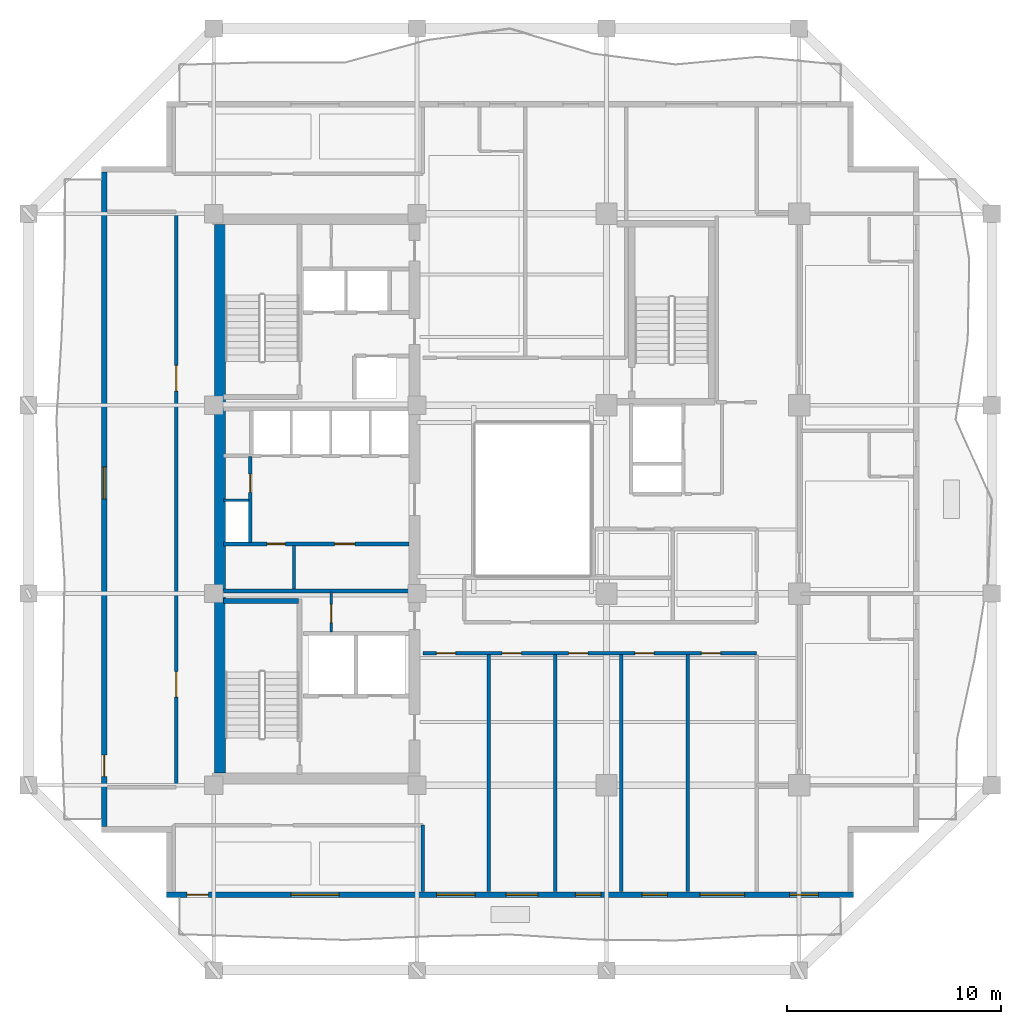
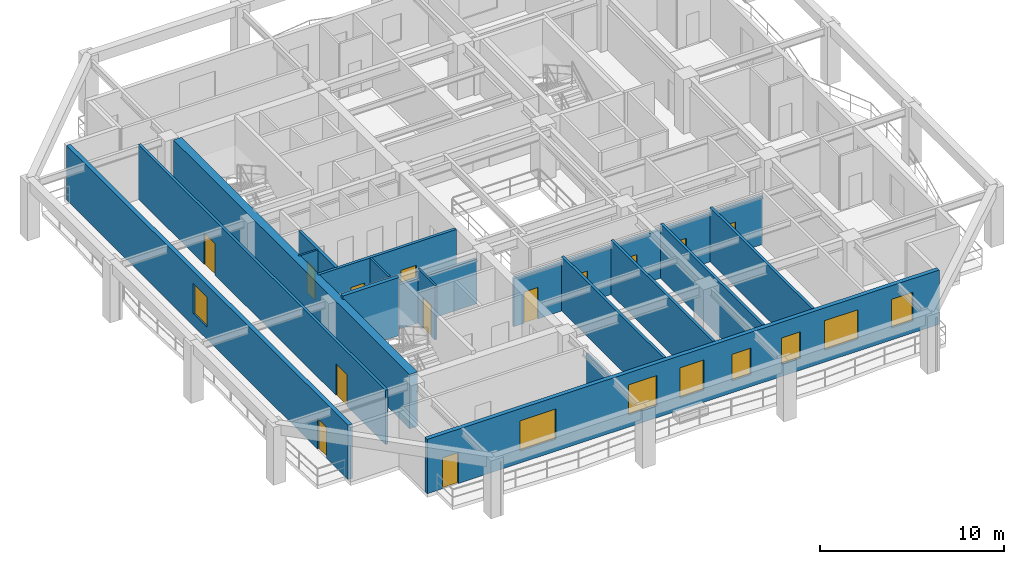
# One storey, part 3 of 11: 17 walls, 13 doors, 8 windows, 21 openings.
"""IFC4 building model written with IfcOpenShell, lengths in metres."""

from ifc_helpers import new_model, si_unit, direction, frame, frame_2d, origin, place, context, subcontext, project, spatial, rectangle, extrude, material, layer, layer_set, type_object, element, fill, save


model = new_model("IFC4")

# Units and contexts
model_context = context("Model", 3, precision=1e-05, world=origin(), true_north=direction((0.0, 1.0)))
body_context = subcontext(model_context, "Body", "Model", "MODEL_VIEW")
ifc_project = project(units=[si_unit("LENGTHUNIT", "METRE"), si_unit("AREAUNIT", "SQUARE_METRE"), si_unit("VOLUMEUNIT", "CUBIC_METRE"), si_unit("PLANEANGLEUNIT", "RADIAN"), si_unit("MASSUNIT", "GRAM", prefix="KILO")], contexts=[model_context])

# Site, building, storey
site_placement = place(None, origin())
site = spatial("IfcSite", under=ifc_project, at=site_placement, CompositionType="ELEMENT")
building_placement = place(site_placement, origin())
building = spatial("IfcBuilding", under=site, at=building_placement, Name="Kundavana Baori Tower", CompositionType="ELEMENT")
storey_placement = place(building_placement, frame((0.0, 0.0, 146.35009765625)))
storey = spatial("IfcBuildingStorey", under=building, at=storey_placement, Name="L35", CompositionType="ELEMENT", Elevation=146.35009765625)

# Walls
ifc_material_1 = material(Name="Concrete C50/60", Category="concrete")
ifc_layer_1 = layer(ifc_material_1, 0.39990234375, Name="WL-CORE-400")
ifc_layer_set_1 = layer_set([ifc_layer_1], Name="Concrete C50/60")
wall_type_1 = type_object("IfcWallType", Name="WL-CORE-400", PredefinedType="SHEAR", material=ifc_layer_set_1)
wall_1_placement = place(storey_placement, frame((15.89990234375, 23.860107421875, 0.0), z_axis=(0.0, 0.0, 1.0), x_axis=(1.0, 0.0, 0.0)))
element("IfcWall", 1, at=wall_1_placement, inside=storey, type_object=wall_type_1, Name="WL-L35-ST1-N", PredefinedType="SHEAR", context=body_context, shape_type="SweptSolid", body=[
    extrude(rectangle(XDim=3.52001953125, YDim=0.239990234375, at=frame_2d((1.760009765625, 0.0))), origin(), (0.0, 0.0, 1.0), 3.849853515625),
])
ifc_material_2 = material(Name="Concrete C50/60", Category="concrete")
ifc_layer_2 = layer(ifc_material_2, 0.5, Name="WL-CORE-500")
ifc_layer_set_2 = layer_set([ifc_layer_2], Name="Concrete C50/60")
wall_type_2 = type_object("IfcWallType", Name="WL-CORE-500", PredefinedType="SHEAR", material=ifc_layer_set_2)
wall_2_placement = place(storey_placement, frame((15.739990234375, 15.81005859375, 0.0), z_axis=(0.0, 0.0, 1.0), x_axis=(0.0, 1.0, 0.0)))
element("IfcWall", 2, at=wall_2_placement, inside=storey, type_object=wall_type_2, Name="L35 Offset Core West Shear Wall", PredefinedType="SHEAR", context=body_context, shape_type="SweptSolid", body=[
    extrude(rectangle(XDim=25.6298828125, YDim=0.5, at=frame_2d((12.81494140625, 0.0))), origin(), (0.0, 0.0, 1.0), 3.599853515625),
])

# Wall, openings, door, windows
ifc_material_3 = material(Name="Kiln-Fired Terracotta Brick-Slip Masonry on Concrete C40/50", Category="masonry")
ifc_layer_3 = layer(ifc_material_3, 0.260009765625, Name="WL-EXT-BRK-260")
ifc_layer_set_3 = layer_set([ifc_layer_3], Name="Kiln-Fired Terracotta Brick-Slip Masonry on Concrete C40/50")
wall_type_3 = type_object("IfcWallType", Name="WL-EXT-BRK-260", PredefinedType="SOLIDWALL", material=ifc_layer_set_3)
wall_3_placement = place(storey_placement, frame((13.25, 10.1298828125, 0.0), z_axis=(0.0, 0.0, 1.0), x_axis=(1.0, 0.0, 0.0)))
wall_3 = element("IfcWall", 3, at=wall_3_placement, inside=storey, type_object=wall_type_3, Name="L35 Exterior Insulated Facade Wall 01", PredefinedType="SOLIDWALL", context=body_context, shape_type="SweptSolid", body=[
    extrude(rectangle(XDim=32.10009765625, YDim=0.260009765625, at=frame_2d((16.050048828125, 0.0))), origin(), (0.0, 0.0, 1.0), 3.599853515625),
])
opening_1_placement = place(wall_3_placement, frame((0.949951171875, 0.0, 0.0)))
opening_1 = element("IfcOpeningElement", 4, at=opening_1_placement, cuts=wall_3, Name="Opening BD-1", PredefinedType="OPENING", context=body_context, shape_type="SweptSolid", body=[
    extrude(rectangle(XDim=1.0, YDim=2.050048828125, at=frame_2d((0.5, 1.02490234375))), frame((0.0, 0.14013671875, 0.0), z_axis=(0.0, -1.0, 0.0), x_axis=(1.0, 0.0, 0.0)), (0.0, 0.0, 1.0), 0.280029296875),
])
opening_2_placement = place(wall_3_placement, frame((5.804931640625, 0.0, 0.800048828125)))
opening_2 = element("IfcOpeningElement", 5, at=opening_2_placement, cuts=wall_3, Name="Opening W-10", PredefinedType="OPENING", context=body_context, shape_type="SweptSolid", body=[
    extrude(rectangle(XDim=2.25, YDim=2.0, at=frame_2d((1.125, 1.0))), frame((0.0, 0.14013671875, 0.0), z_axis=(0.0, -1.0, 0.0), x_axis=(1.0, 0.0, 0.0)), (0.0, 0.0, 1.0), 0.280029296875),
])
opening_3_placement = place(wall_3_placement, frame((12.610107421875, 0.0, 0.800048828125)))
opening_3 = element("IfcOpeningElement", 6, at=opening_3_placement, cuts=wall_3, Name="Opening W-01", PredefinedType="OPENING", context=body_context, shape_type="SweptSolid", body=[
    extrude(rectangle(XDim=1.800048828125, YDim=2.0, at=frame_2d((0.89990234375, 1.0))), frame((0.0, 0.14013671875, 0.0), z_axis=(0.0, -1.0, 0.0), x_axis=(1.0, 0.0, 0.0)), (0.0, 0.0, 1.0), 0.280029296875),
])
opening_4_placement = place(wall_3_placement, frame((15.85009765625, 0.0, 0.800048828125)))
opening_4 = element("IfcOpeningElement", 7, at=opening_4_placement, cuts=wall_3, Name="Opening W-02", PredefinedType="OPENING", context=body_context, shape_type="SweptSolid", body=[
    extrude(rectangle(XDim=1.5, YDim=2.0, at=frame_2d((0.75, 1.0))), frame((0.0, 0.14013671875, 0.0), z_axis=(0.0, -1.0, 0.0), x_axis=(1.0, 0.0, 0.0)), (0.0, 0.0, 1.0), 0.280029296875),
])
opening_5_placement = place(wall_3_placement, frame((19.10009765625, 0.0, 0.800048828125)))
opening_5 = element("IfcOpeningElement", 8, at=opening_5_placement, cuts=wall_3, Name="Opening W-03", PredefinedType="OPENING", context=body_context, shape_type="SweptSolid", body=[
    extrude(rectangle(XDim=1.199951171875, YDim=1.75, at=frame_2d((0.60009765625, 0.875))), frame((0.0, 0.14013671875, 0.0), z_axis=(0.0, -1.0, 0.0), x_axis=(1.0, 0.0, 0.0)), (0.0, 0.0, 1.0), 0.280029296875),
])
opening_6_placement = place(wall_3_placement, frame((22.199951171875, 0.0, 0.800048828125)))
opening_6 = element("IfcOpeningElement", 9, at=opening_6_placement, cuts=wall_3, Name="Opening W-03", PredefinedType="OPENING", context=body_context, shape_type="SweptSolid", body=[
    extrude(rectangle(XDim=1.199951171875, YDim=1.75, at=frame_2d((0.60009765625, 0.875))), frame((0.0, 0.14013671875, 0.0), z_axis=(0.0, -1.0, 0.0), x_axis=(1.0, 0.0, 0.0)), (0.0, 0.0, 1.0), 0.280029296875),
])
opening_7_placement = place(wall_3_placement, frame((24.909912109375, 0.0, 0.800048828125)))
opening_7 = element("IfcOpeningElement", 10, at=opening_7_placement, cuts=wall_3, Name="Opening W-05", PredefinedType="OPENING", context=body_context, shape_type="SweptSolid", body=[
    extrude(rectangle(XDim=2.10009765625, YDim=1.949951171875, at=frame_2d((1.050048828125, 0.97509765625))), frame((0.0, 0.14013671875, 0.0), z_axis=(0.0, -1.0, 0.0), x_axis=(1.0, 0.0, 0.0)), (0.0, 0.0, 1.0), 0.280029296875),
])
opening_8_placement = place(wall_3_placement, frame((29.10498046875, 0.0, 0.800048828125)))
opening_8 = element("IfcOpeningElement", 11, at=opening_8_placement, cuts=wall_3, Name="Opening W-07", PredefinedType="OPENING", context=body_context, shape_type="SweptSolid", body=[
    extrude(rectangle(XDim=1.35009765625, YDim=1.89990234375, at=frame_2d((0.675048828125, 0.949951171875))), frame((0.0, 0.14013671875, 0.0), z_axis=(0.0, -1.0, 0.0), x_axis=(1.0, 0.0, 0.0)), (0.0, 0.0, 1.0), 0.280029296875),
])
ifc_material_4 = material(Name="Architectural Patinated Bronze Metalwork")
door_type_1 = type_object("IfcDoorType", Name="DR-EXT-LOG-1000", OperationType="NOTDEFINED", PredefinedType="DOOR", material=ifc_material_4)
door_1_placement = place(opening_1_placement, frame((1.0, 0.0, 0.0), z_axis=(0.0, 0.0, 1.0), x_axis=(-1.0, 0.0, 0.0)))
door_1 = element("IfcDoor", 12, at=door_1_placement, inside=storey, type_object=door_type_1, Name="L35 Loggia Balcony Access Door S", OperationType="SINGLE_SWING_LEFT", OverallHeight=2.050048828125, OverallWidth=1.0, PredefinedType="DOOR", context=body_context, shape_type="SweptSolid", body=[
    extrude(rectangle(XDim=1.0, YDim=2.050048828125, at=frame_2d((0.5, 1.02490234375))), frame((0.0, 0.02490234375, 0.0), z_axis=(0.0, -1.0, 0.0), x_axis=(1.0, 0.0, 0.0)), (0.0, 0.0, 1.0), 0.050048828125),
])
fill(opening_1, door_1)
ifc_material_5 = material(Name="Double-Glazed Solar-Control Low-E Insulated Glass", Category="glass")
window_type_1 = type_object("IfcWindowType", Name="WIN-LOG-1200x1750", PartitioningType="SINGLE_PANEL", PredefinedType="WINDOW", material=ifc_material_5)
window_1_placement = place(opening_5_placement, origin())
window_1 = element("IfcWindow", 13, at=window_1_placement, inside=storey, type_object=window_type_1, Name="L35 Recessed Loggia Window S-4", OverallHeight=1.75, OverallWidth=1.199951171875, PartitioningType="SINGLE_PANEL", PredefinedType="WINDOW", context=body_context, shape_type="SweptSolid", body=[
    extrude(rectangle(XDim=1.199951171875, YDim=1.75, at=frame_2d((0.60009765625, 0.875))), frame((0.0, 0.030029296875, 0.0), z_axis=(0.0, -1.0, 0.0), x_axis=(1.0, 0.0, 0.0)), (0.0, 0.0, 1.0), 0.06005859375),
])
fill(opening_5, window_1)
window_2_placement = place(opening_6_placement, origin())
window_2 = element("IfcWindow", 14, at=window_2_placement, inside=storey, type_object=window_type_1, Name="L35 Recessed Loggia Window S-5", OverallHeight=1.75, OverallWidth=1.199951171875, PartitioningType="SINGLE_PANEL", PredefinedType="WINDOW", context=body_context, shape_type="SweptSolid", body=[
    extrude(rectangle(XDim=1.199951171875, YDim=1.75, at=frame_2d((0.60009765625, 0.875))), frame((0.0, 0.030029296875, 0.0), z_axis=(0.0, -1.0, 0.0), x_axis=(1.0, 0.0, 0.0)), (0.0, 0.0, 1.0), 0.06005859375),
])
fill(opening_6, window_2)
ifc_material_6 = material(Name="Double-Glazed Solar-Control Low-E Insulated Glass", Category="glass")
window_type_2 = type_object("IfcWindowType", Name="WIN-LOG-1350x1900", PartitioningType="SINGLE_PANEL", PredefinedType="WINDOW", material=ifc_material_6)
window_3_placement = place(opening_8_placement, origin())
window_3 = element("IfcWindow", 15, at=window_3_placement, inside=storey, type_object=window_type_2, Name="L35 Recessed Loggia Window S-7", OverallHeight=1.89990234375, OverallWidth=1.35009765625, PartitioningType="SINGLE_PANEL", PredefinedType="WINDOW", context=body_context, shape_type="SweptSolid", body=[
    extrude(rectangle(XDim=1.35009765625, YDim=1.89990234375, at=frame_2d((0.675048828125, 0.949951171875))), frame((0.0, 0.030029296875, 0.0), z_axis=(0.0, -1.0, 0.0), x_axis=(1.0, 0.0, 0.0)), (0.0, 0.0, 1.0), 0.06005859375),
])
fill(opening_8, window_3)
ifc_material_7 = material(Name="Double-Glazed Solar-Control Low-E Insulated Glass", Category="glass")
window_type_3 = type_object("IfcWindowType", Name="WIN-LOG-1500x2000", PartitioningType="SINGLE_PANEL", PredefinedType="WINDOW", material=ifc_material_7)
window_4_placement = place(opening_4_placement, origin())
window_4 = element("IfcWindow", 16, at=window_4_placement, inside=storey, type_object=window_type_3, Name="L35 Recessed Loggia Window S-3", OverallHeight=2.0, OverallWidth=1.5, PartitioningType="SINGLE_PANEL", PredefinedType="WINDOW", context=body_context, shape_type="SweptSolid", body=[
    extrude(rectangle(XDim=1.5, YDim=2.0, at=frame_2d((0.75, 1.0))), frame((0.0, 0.030029296875, 0.0), z_axis=(0.0, -1.0, 0.0), x_axis=(1.0, 0.0, 0.0)), (0.0, 0.0, 1.0), 0.06005859375),
])
fill(opening_4, window_4)
ifc_material_8 = material(Name="Double-Glazed Solar-Control Low-E Insulated Glass", Category="glass")
window_type_4 = type_object("IfcWindowType", Name="WIN-LOG-1800x2000", PartitioningType="SINGLE_PANEL", PredefinedType="WINDOW", material=ifc_material_8)
window_5_placement = place(opening_3_placement, origin())
window_5 = element("IfcWindow", 17, at=window_5_placement, inside=storey, type_object=window_type_4, Name="L35 Recessed Loggia Window S-2", OverallHeight=2.0, OverallWidth=1.800048828125, PartitioningType="SINGLE_PANEL", PredefinedType="WINDOW", context=body_context, shape_type="SweptSolid", body=[
    extrude(rectangle(XDim=1.800048828125, YDim=2.0, at=frame_2d((0.89990234375, 1.0))), frame((0.0, 0.030029296875, 0.0), z_axis=(0.0, -1.0, 0.0), x_axis=(1.0, 0.0, 0.0)), (0.0, 0.0, 1.0), 0.06005859375),
])
fill(opening_3, window_5)
ifc_material_9 = material(Name="Double-Glazed Solar-Control Low-E Insulated Glass", Category="glass")
window_type_5 = type_object("IfcWindowType", Name="WIN-LOG-2100x1950", PartitioningType="SINGLE_PANEL", PredefinedType="WINDOW", material=ifc_material_9)
window_6_placement = place(opening_7_placement, origin())
window_6 = element("IfcWindow", 18, at=window_6_placement, inside=storey, type_object=window_type_5, Name="L35 Recessed Loggia Window S-6", OverallHeight=1.949951171875, OverallWidth=2.10009765625, PartitioningType="SINGLE_PANEL", PredefinedType="WINDOW", context=body_context, shape_type="SweptSolid", body=[
    extrude(rectangle(XDim=2.10009765625, YDim=1.949951171875, at=frame_2d((1.050048828125, 0.97509765625))), frame((0.0, 0.030029296875, 0.0), z_axis=(0.0, -1.0, 0.0), x_axis=(1.0, 0.0, 0.0)), (0.0, 0.0, 1.0), 0.06005859375),
])
fill(opening_7, window_6)
ifc_material_10 = material(Name="Double-Glazed Solar-Control Low-E Insulated Glass", Category="glass")
window_type_6 = type_object("IfcWindowType", Name="WIN-LOG-2250x2000", PartitioningType="SINGLE_PANEL", PredefinedType="WINDOW", material=ifc_material_10)
window_7_placement = place(opening_2_placement, origin())
window_7 = element("IfcWindow", 19, at=window_7_placement, inside=storey, type_object=window_type_6, Name="L35 Recessed Loggia Window S-1", OverallHeight=2.0, OverallWidth=2.25, PartitioningType="SINGLE_PANEL", PredefinedType="WINDOW", context=body_context, shape_type="SweptSolid", body=[
    extrude(rectangle(XDim=2.25, YDim=2.0, at=frame_2d((1.125, 1.0))), frame((0.0, 0.030029296875, 0.0), z_axis=(0.0, -1.0, 0.0), x_axis=(1.0, 0.0, 0.0)), (0.0, 0.0, 1.0), 0.06005859375),
])
fill(opening_2, window_7)

# Wall, openings, door, window
wall_4_placement = place(storey_placement, frame((10.330078125, 43.889892578125, 0.0), z_axis=(0.0, 0.0, 1.0), x_axis=(0.0, -1.0, 0.0)))
wall_4 = element("IfcWall", 20, at=wall_4_placement, inside=storey, type_object=wall_type_3, Name="L35 Exterior Insulated Facade Wall 10", PredefinedType="SOLIDWALL", context=body_context, shape_type="SweptSolid", body=[
    extrude(rectangle(XDim=30.579833984375, YDim=0.260009765625, at=frame_2d((15.2900390625, 0.0))), origin(), (0.0, 0.0, 1.0), 3.599853515625),
])
opening_9_placement = place(wall_4_placement, frame((27.239990234375, 0.0, 0.0)))
opening_9 = element("IfcOpeningElement", 21, at=opening_9_placement, cuts=wall_4, Name="Opening BD-1", PredefinedType="OPENING", context=body_context, shape_type="SweptSolid", body=[
    extrude(rectangle(XDim=1.0, YDim=2.050048828125, at=frame_2d((0.5, 1.02490234375))), frame((0.0, 0.14013671875, 0.0), z_axis=(0.0, -1.0, 0.0), x_axis=(1.0, 0.0, 0.0)), (0.0, 0.0, 1.0), 0.280029296875),
])
opening_10_placement = place(wall_4_placement, frame((13.764892578125, 0.0, 0.800048828125)))
opening_10 = element("IfcOpeningElement", 22, at=opening_10_placement, cuts=wall_4, Name="Opening W-02", PredefinedType="OPENING", context=body_context, shape_type="SweptSolid", body=[
    extrude(rectangle(XDim=1.5, YDim=2.0, at=frame_2d((0.75, 1.0))), frame((0.0, 0.14013671875, 0.0), z_axis=(0.0, -1.0, 0.0), x_axis=(1.0, 0.0, 0.0)), (0.0, 0.0, 1.0), 0.280029296875),
])
door_2_placement = place(opening_9_placement, frame((1.0, 0.0, 0.0), z_axis=(0.0, 0.0, 1.0), x_axis=(-1.0, 0.0, 0.0)))
door_2 = element("IfcDoor", 23, at=door_2_placement, inside=storey, type_object=door_type_1, Name="L35 Loggia Balcony Access Door W", OperationType="SINGLE_SWING_RIGHT", OverallHeight=2.050048828125, OverallWidth=1.0, PredefinedType="DOOR", context=body_context, shape_type="SweptSolid", body=[
    extrude(rectangle(XDim=1.0, YDim=2.050048828125, at=frame_2d((0.5, 1.02490234375))), frame((0.0, 0.02490234375, 0.0), z_axis=(0.0, -1.0, 0.0), x_axis=(1.0, 0.0, 0.0)), (0.0, 0.0, 1.0), 0.050048828125),
])
fill(opening_9, door_2)
window_8_placement = place(opening_10_placement, origin())
window_8 = element("IfcWindow", 24, at=window_8_placement, inside=storey, type_object=window_type_3, Name="L35 Recessed Loggia Window W-1", OverallHeight=2.0, OverallWidth=1.5, PartitioningType="SINGLE_PANEL", PredefinedType="WINDOW", context=body_context, shape_type="SweptSolid", body=[
    extrude(rectangle(XDim=1.5, YDim=2.0, at=frame_2d((0.75, 1.0))), frame((0.0, 0.030029296875, 0.0), z_axis=(0.0, -1.0, 0.0), x_axis=(1.0, 0.0, 0.0)), (0.0, 0.0, 1.0), 0.06005859375),
])
fill(opening_10, window_8)

# Wall, opening, door
ifc_material_11 = material(Name="Acoustic Gypsum Plasterboard on Galvanised Steel Studs", Category="steel")
ifc_layer_4 = layer(ifc_material_11, 0.1201171875, Name="WL-PART-120")
ifc_layer_set_4 = layer_set([ifc_layer_4], Name="Acoustic Gypsum Plasterboard on Galvanised Steel Studs")
wall_type_4 = type_object("IfcWallType", Name="WL-PART-120", PredefinedType="PARTITIONING", material=ifc_layer_set_4)
wall_5_placement = place(storey_placement, frame((20.949951171875, 22.39990234375, 0.0), z_axis=(0.0, 0.0, 1.0), x_axis=(0.0, 1.0, 0.0)))
wall_5 = element("IfcWall", 25, at=wall_5_placement, inside=storey, type_object=wall_type_4, Name="WL-L35-CSMK-D2", PredefinedType="PARTITIONING", context=body_context, shape_type="SweptSolid", body=[
    extrude(rectangle(XDim=1.880126953125, YDim=0.1201171875, at=frame_2d((0.93994140625, 0.0))), origin(), (0.0, 0.0, 1.0), 3.599853515625),
])
opening_11_placement = place(wall_5_placement, frame((0.449951171875, 0.0, 0.0)))
opening_11 = element("IfcOpeningElement", 26, at=opening_11_placement, cuts=wall_5, Name="Opening FD-085", PredefinedType="OPENING", context=body_context, shape_type="SweptSolid", body=[
    extrude(rectangle(XDim=0.85009765625, YDim=2.06005859375, at=frame_2d((0.425048828125, 1.030029296875))), frame((0.0, 0.070068359375, 0.0), z_axis=(0.0, -1.0, 0.0), x_axis=(1.0, 0.0, 0.0)), (0.0, 0.0, 1.0), 0.14013671875),
])
ifc_material_12 = material(Name="Galvanised Steel Fire-Rated Door Leaf", Category="steel")
door_type_2 = type_object("IfcDoorType", Name="DR-FD60-850", OperationType="NOTDEFINED", PredefinedType="DOOR", material=ifc_material_12)
door_3_placement = place(opening_11_placement, origin())
door_3 = element("IfcDoor", 27, at=door_3_placement, inside=storey, type_object=door_type_2, Name="DR-L35-CSMK1", OperationType="SINGLE_SWING_RIGHT", OverallHeight=2.06005859375, OverallWidth=0.85009765625, PredefinedType="DOOR", context=body_context, shape_type="SweptSolid", body=[
    extrude(rectangle(XDim=0.85009765625, YDim=2.06005859375, at=frame_2d((0.425048828125, 1.030029296875))), frame((0.0, 0.02490234375, 0.0), z_axis=(0.0, -1.0, 0.0), x_axis=(1.0, 0.0, 0.0)), (0.0, 0.0, 1.0), 0.050048828125),
])
fill(opening_11, door_3)

# Walls
wall_6_placement = place(storey_placement, frame((19.199951171875, 24.419921875, 0.0), z_axis=(0.0, 0.0, 1.0), x_axis=(0.0, 1.0, 0.0)))
element("IfcWall", 28, at=wall_6_placement, inside=storey, type_object=wall_type_4, Name="WL-L35-FRLOW-DIV", PredefinedType="PARTITIONING", context=body_context, shape_type="SweptSolid", body=[
    extrude(rectangle(XDim=2.02001953125, YDim=0.1201171875, at=frame_2d((1.010009765625, 0.0))), origin(), (0.0, 0.0, 1.0), 3.599853515625),
])
wall_7_placement = place(storey_placement, frame((15.89990234375, 28.56005859375, 0.0), z_axis=(0.0, 0.0, 1.0), x_axis=(1.0, 0.0, 0.0)))
element("IfcWall", 29, at=wall_7_placement, inside=storey, type_object=wall_type_4, Name="WL-L35-RSRW-N", PredefinedType="PARTITIONING", context=body_context, shape_type="SweptSolid", body=[
    extrude(rectangle(XDim=1.2001953125, YDim=0.1201171875, at=frame_2d((0.60009765625, 0.0))), origin(), (0.0, 0.0, 1.0), 3.599853515625),
])

# Wall, openings, doors
ifc_material_13 = material(Name="Fire-Rated Gypsum Drywall on Galvanised Steel Studs", Category="steel")
ifc_layer_5 = layer(ifc_material_13, 0.1650390625, Name="WL-PART-165")
ifc_layer_set_5 = layer_set([ifc_layer_5], Name="Fire-Rated Gypsum Drywall on Galvanised Steel Studs")
wall_type_5 = type_object("IfcWallType", Name="WL-PART-165", PredefinedType="PARTITIONING", material=ifc_layer_set_5)
wall_8_placement = place(storey_placement, frame((25.219970703125, 21.419921875, 0.0), z_axis=(0.0, 0.0, 1.0), x_axis=(1.0, 0.0, 0.0)))
wall_8 = element("IfcWall", 30, at=wall_8_placement, inside=storey, type_object=wall_type_5, Name="WL-L35-HS", PredefinedType="PARTITIONING", context=body_context, shape_type="SweptSolid", body=[
    extrude(rectangle(XDim=15.60009765625, YDim=0.1650390625, at=frame_2d((7.800048828125, 0.0))), origin(), (0.0, 0.0, 1.0), 3.199951171875),
])
opening_12_placement = place(wall_8_placement, frame((0.6298828125, 0.0, 0.0)))
opening_12 = element("IfcOpeningElement", 31, at=opening_12_placement, cuts=wall_8, Name="Opening ID-090", PredefinedType="OPENING", context=body_context, shape_type="SweptSolid", body=[
    extrude(rectangle(XDim=0.89990234375, YDim=2.080078125, at=frame_2d((0.449951171875, 1.0400390625))), frame((0.0, 0.092529296875, 0.0), z_axis=(0.0, -1.0, 0.0), x_axis=(1.0, 0.0, 0.0)), (0.0, 0.0, 1.0), 0.18505859375),
])
opening_13_placement = place(wall_8_placement, frame((3.7099609375, 0.0, 0.0)))
opening_13 = element("IfcOpeningElement", 32, at=opening_13_placement, cuts=wall_8, Name="Opening ID-090", PredefinedType="OPENING", context=body_context, shape_type="SweptSolid", body=[
    extrude(rectangle(XDim=0.89990234375, YDim=2.080078125, at=frame_2d((0.449951171875, 1.0400390625))), frame((0.0, 0.092529296875, 0.0), z_axis=(0.0, -1.0, 0.0), x_axis=(1.0, 0.0, 0.0)), (0.0, 0.0, 1.0), 0.18505859375),
])
opening_14_placement = place(wall_8_placement, frame((6.81005859375, 0.0, 0.0)))
opening_14 = element("IfcOpeningElement", 33, at=opening_14_placement, cuts=wall_8, Name="Opening ID-090", PredefinedType="OPENING", context=body_context, shape_type="SweptSolid", body=[
    extrude(rectangle(XDim=0.89990234375, YDim=2.080078125, at=frame_2d((0.449951171875, 1.0400390625))), frame((0.0, 0.092529296875, 0.0), z_axis=(0.0, -1.0, 0.0), x_axis=(1.0, 0.0, 0.0)), (0.0, 0.0, 1.0), 0.18505859375),
])
opening_15_placement = place(wall_8_placement, frame((9.909912109375, 0.0, 0.0)))
opening_15 = element("IfcOpeningElement", 34, at=opening_15_placement, cuts=wall_8, Name="Opening ID-090", PredefinedType="OPENING", context=body_context, shape_type="SweptSolid", body=[
    extrude(rectangle(XDim=0.89990234375, YDim=2.080078125, at=frame_2d((0.449951171875, 1.0400390625))), frame((0.0, 0.092529296875, 0.0), z_axis=(0.0, -1.0, 0.0), x_axis=(1.0, 0.0, 0.0)), (0.0, 0.0, 1.0), 0.18505859375),
])
opening_16_placement = place(wall_8_placement, frame((13.010009765625, 0.0, 0.0)))
opening_16 = element("IfcOpeningElement", 35, at=opening_16_placement, cuts=wall_8, Name="Opening ID-090", PredefinedType="OPENING", context=body_context, shape_type="SweptSolid", body=[
    extrude(rectangle(XDim=0.89990234375, YDim=2.080078125, at=frame_2d((0.449951171875, 1.0400390625))), frame((0.0, 0.092529296875, 0.0), z_axis=(0.0, -1.0, 0.0), x_axis=(1.0, 0.0, 0.0)), (0.0, 0.0, 1.0), 0.18505859375),
])
ifc_material_14 = material(Name="Engineered Teak Solid-Core Timber Veneer", Category="wood")
door_type_3 = type_object("IfcDoorType", Name="DR-INT-900", OperationType="NOTDEFINED", PredefinedType="DOOR", material=ifc_material_14)
door_4_placement = place(opening_12_placement, frame((0.89990234375, 0.0, 0.0), z_axis=(0.0, 0.0, 1.0), x_axis=(-1.0, 0.0, 0.0)))
door_4 = element("IfcDoor", 36, at=door_4_placement, inside=storey, type_object=door_type_3, Name="DR-L35-HCS1", OperationType="SINGLE_SWING_RIGHT", OverallHeight=2.080078125, OverallWidth=0.89990234375, PredefinedType="DOOR", context=body_context, shape_type="SweptSolid", body=[
    extrude(rectangle(XDim=0.89990234375, YDim=2.080078125, at=frame_2d((0.449951171875, 1.0400390625))), frame((0.0, 0.02490234375, 0.0), z_axis=(0.0, -1.0, 0.0), x_axis=(1.0, 0.0, 0.0)), (0.0, 0.0, 1.0), 0.050048828125),
])
fill(opening_12, door_4)
door_5_placement = place(opening_13_placement, frame((0.89990234375, 0.0, 0.0), z_axis=(0.0, 0.0, 1.0), x_axis=(-1.0, 0.0, 0.0)))
door_5 = element("IfcDoor", 37, at=door_5_placement, inside=storey, type_object=door_type_3, Name="DR-L35-HCS2", OperationType="SINGLE_SWING_RIGHT", OverallHeight=2.080078125, OverallWidth=0.89990234375, PredefinedType="DOOR", context=body_context, shape_type="SweptSolid", body=[
    extrude(rectangle(XDim=0.89990234375, YDim=2.080078125, at=frame_2d((0.449951171875, 1.0400390625))), frame((0.0, 0.02490234375, 0.0), z_axis=(0.0, -1.0, 0.0), x_axis=(1.0, 0.0, 0.0)), (0.0, 0.0, 1.0), 0.050048828125),
])
fill(opening_13, door_5)
door_6_placement = place(opening_14_placement, frame((0.89990234375, 0.0, 0.0), z_axis=(0.0, 0.0, 1.0), x_axis=(-1.0, 0.0, 0.0)))
door_6 = element("IfcDoor", 38, at=door_6_placement, inside=storey, type_object=door_type_3, Name="DR-L35-HCS3", OperationType="SINGLE_SWING_RIGHT", OverallHeight=2.080078125, OverallWidth=0.89990234375, PredefinedType="DOOR", context=body_context, shape_type="SweptSolid", body=[
    extrude(rectangle(XDim=0.89990234375, YDim=2.080078125, at=frame_2d((0.449951171875, 1.0400390625))), frame((0.0, 0.02490234375, 0.0), z_axis=(0.0, -1.0, 0.0), x_axis=(1.0, 0.0, 0.0)), (0.0, 0.0, 1.0), 0.050048828125),
])
fill(opening_14, door_6)
door_7_placement = place(opening_15_placement, frame((0.89990234375, 0.0, 0.0), z_axis=(0.0, 0.0, 1.0), x_axis=(-1.0, 0.0, 0.0)))
door_7 = element("IfcDoor", 39, at=door_7_placement, inside=storey, type_object=door_type_3, Name="DR-L35-HCS4", OperationType="SINGLE_SWING_RIGHT", OverallHeight=2.080078125, OverallWidth=0.89990234375, PredefinedType="DOOR", context=body_context, shape_type="SweptSolid", body=[
    extrude(rectangle(XDim=0.89990234375, YDim=2.080078125, at=frame_2d((0.449951171875, 1.0400390625))), frame((0.0, 0.02490234375, 0.0), z_axis=(0.0, -1.0, 0.0), x_axis=(1.0, 0.0, 0.0)), (0.0, 0.0, 1.0), 0.050048828125),
])
fill(opening_15, door_7)
door_8_placement = place(opening_16_placement, frame((0.89990234375, 0.0, 0.0), z_axis=(0.0, 0.0, 1.0), x_axis=(-1.0, 0.0, 0.0)))
door_8 = element("IfcDoor", 40, at=door_8_placement, inside=storey, type_object=door_type_3, Name="DR-L35-HCS5", OperationType="SINGLE_SWING_RIGHT", OverallHeight=2.080078125, OverallWidth=0.89990234375, PredefinedType="DOOR", context=body_context, shape_type="SweptSolid", body=[
    extrude(rectangle(XDim=0.89990234375, YDim=2.080078125, at=frame_2d((0.449951171875, 1.0400390625))), frame((0.0, 0.02490234375, 0.0), z_axis=(0.0, -1.0, 0.0), x_axis=(1.0, 0.0, 0.0)), (0.0, 0.0, 1.0), 0.050048828125),
])
fill(opening_16, door_8)

wall_9_placement = place(storey_placement, frame((13.699951171875, 15.159912109375, 0.0), z_axis=(0.0, 0.0, 1.0), x_axis=(0.0, 1.0, 0.0)))
wall_9 = element("IfcWall", 41, at=wall_9_placement, inside=storey, type_object=wall_type_5, Name="WL-L35-HW", PredefinedType="PARTITIONING", context=body_context, shape_type="SweptSolid", body=[
    extrude(rectangle(XDim=26.880126953125, YDim=0.1650390625, at=frame_2d((13.43994140625, 0.0))), origin(), (0.0, 0.0, 1.0), 3.599853515625),
])
opening_17_placement = place(wall_9_placement, frame((4.199951171875, 0.0, 0.0)))
opening_17 = element("IfcOpeningElement", 42, at=opening_17_placement, cuts=wall_9, Name="Opening ID-120", PredefinedType="OPENING", context=body_context, shape_type="SweptSolid", body=[
    extrude(rectangle(XDim=1.199951171875, YDim=2.10009765625, at=frame_2d((0.60009765625, 1.050048828125))), frame((0.0, 0.092529296875, 0.0), z_axis=(0.0, -1.0, 0.0), x_axis=(1.0, 0.0, 0.0)), (0.0, 0.0, 1.0), 0.18505859375),
])
opening_18_placement = place(wall_9_placement, frame((18.5, 0.0, 0.0)))
opening_18 = element("IfcOpeningElement", 43, at=opening_18_placement, cuts=wall_9, Name="Opening ID-120", PredefinedType="OPENING", context=body_context, shape_type="SweptSolid", body=[
    extrude(rectangle(XDim=1.199951171875, YDim=2.10009765625, at=frame_2d((0.60009765625, 1.050048828125))), frame((0.0, 0.092529296875, 0.0), z_axis=(0.0, -1.0, 0.0), x_axis=(1.0, 0.0, 0.0)), (0.0, 0.0, 1.0), 0.18505859375),
])
ifc_material_15 = material(Name="Engineered Teak Solid-Core Timber Veneer", Category="wood")
door_type_4 = type_object("IfcDoorType", Name="DR-INT-1200", OperationType="NOTDEFINED", PredefinedType="DOOR", material=ifc_material_15)
door_9_placement = place(opening_17_placement, origin())
door_9 = element("IfcDoor", 44, at=door_9_placement, inside=storey, type_object=door_type_4, Name="DR-L35-HCW1", OperationType="SINGLE_SWING_LEFT", OverallHeight=2.10009765625, OverallWidth=1.199951171875, PredefinedType="DOOR", context=body_context, shape_type="SweptSolid", body=[
    extrude(rectangle(XDim=1.199951171875, YDim=2.10009765625, at=frame_2d((0.60009765625, 1.050048828125))), frame((0.0, 0.02490234375, 0.0), z_axis=(0.0, -1.0, 0.0), x_axis=(1.0, 0.0, 0.0)), (0.0, 0.0, 1.0), 0.050048828125),
])
fill(opening_17, door_9)
door_10_placement = place(opening_18_placement, origin())
door_10 = element("IfcDoor", 45, at=door_10_placement, inside=storey, type_object=door_type_4, Name="DR-L35-HCW2", OperationType="SINGLE_SWING_RIGHT", OverallHeight=2.10009765625, OverallWidth=1.199951171875, PredefinedType="DOOR", context=body_context, shape_type="SweptSolid", body=[
    extrude(rectangle(XDim=1.199951171875, YDim=2.10009765625, at=frame_2d((0.60009765625, 1.050048828125))), frame((0.0, 0.02490234375, 0.0), z_axis=(0.0, -1.0, 0.0), x_axis=(1.0, 0.0, 0.0)), (0.0, 0.0, 1.0), 0.050048828125),
])
fill(opening_18, door_10)

# Walls
wall_10_placement = place(storey_placement, frame((25.219970703125, 10.280029296875, 0.0), z_axis=(0.0, 0.0, 1.0), x_axis=(0.0, 1.0, 0.0)))
element("IfcWall", 46, at=wall_10_placement, inside=storey, type_object=wall_type_5, Name="WL-L35-HSCE", PredefinedType="PARTITIONING", context=body_context, shape_type="SweptSolid", body=[
    extrude(rectangle(XDim=3.099853515625, YDim=0.1650390625, at=frame_2d((1.5498046875, 0.0))), origin(), (0.0, 0.0, 1.0), 3.099853515625),
])
for number, where, z_axis, x_axis, name in (
    (47, (28.300048828125, 10.280029296875, 0.0), (0.0, 0.0, 1.0), (0.0, 1.0, 0.0), "WL-L35-HSD1"),
    (48, (31.39990234375, 10.280029296875, 0.0), (0.0, 0.0, 1.0), (0.0, 1.0, 0.0), "WL-L35-HSD2"),
    (49, (34.5, 10.280029296875, 0.0), (0.0, 0.0, 1.0), (0.0, 1.0, 0.0), "WL-L35-HSD3"),
    (50, (37.60009765625, 10.280029296875, 0.0), (0.0, 0.0, 1.0), (0.0, 1.0, 0.0), "WL-L35-HSD4"),
):
    element("IfcWall", number, at=place(storey_placement, frame(where, z_axis=z_axis, x_axis=x_axis)), inside=storey, type_object=wall_type_5, Name=name, PredefinedType="PARTITIONING", context=body_context, shape_type="SweptSolid", body=[
        extrude(rectangle(XDim=11.080078125, YDim=0.1650390625, at=frame_2d((5.5400390625, 0.0))), origin(), (0.0, 0.0, 1.0), 3.599853515625),
    ])

# Wall, openings, doors
ifc_material_16 = material(Name="Autoclaved Aerated Concrete Blockwork Masonry", Category="masonry")
ifc_layer_6 = layer(ifc_material_16, 0.179931640625, Name="WL-SHAFT-180")
ifc_layer_set_6 = layer_set([ifc_layer_6], Name="Autoclaved Aerated Concrete Blockwork Masonry")
wall_type_6 = type_object("IfcWallType", Name="WL-SHAFT-180", PredefinedType="SOLIDWALL", material=ifc_layer_set_6)
wall_11_placement = place(storey_placement, frame((15.89990234375, 26.52001953125, 0.0), z_axis=(0.0, 0.0, 1.0), x_axis=(1.0, 0.0, 0.0)))
wall_11 = element("IfcWall", 51, at=wall_11_placement, inside=storey, type_object=wall_type_6, Name="WL-L35-LPLOW-N", PredefinedType="SOLIDWALL", context=body_context, shape_type="SweptSolid", body=[
    extrude(rectangle(XDim=8.68017578125, YDim=0.179931640625, at=frame_2d((4.340087890625, 0.0))), origin(), (0.0, 0.0, 1.0), 3.599853515625),
])
opening_19_placement = place(wall_11_placement, frame((2.050048828125, 0.0, 0.0)))
opening_19 = element("IfcOpeningElement", 52, at=opening_19_placement, cuts=wall_11, Name="Opening FD-085", PredefinedType="OPENING", context=body_context, shape_type="SweptSolid", body=[
    extrude(rectangle(XDim=0.85009765625, YDim=2.06005859375, at=frame_2d((0.425048828125, 1.030029296875))), frame((0.0, 0.10009765625, 0.0), z_axis=(0.0, -1.0, 0.0), x_axis=(1.0, 0.0, 0.0)), (0.0, 0.0, 1.0), 0.199951171875),
])
opening_20_placement = place(wall_11_placement, frame((5.199951171875, 0.0, 0.0)))
opening_20 = element("IfcOpeningElement", 53, at=opening_20_placement, cuts=wall_11, Name="Opening FD-095", PredefinedType="OPENING", context=body_context, shape_type="SweptSolid", body=[
    extrude(rectangle(XDim=0.949951171875, YDim=2.10009765625, at=frame_2d((0.47509765625, 1.050048828125))), frame((0.0, 0.10009765625, 0.0), z_axis=(0.0, -1.0, 0.0), x_axis=(1.0, 0.0, 0.0)), (0.0, 0.0, 1.0), 0.199951171875),
])
door_11_placement = place(opening_19_placement, origin())
door_11 = element("IfcDoor", 54, at=door_11_placement, inside=storey, type_object=door_type_2, Name="DR-L35-FRLOW1", OperationType="SINGLE_SWING_LEFT", OverallHeight=2.06005859375, OverallWidth=0.85009765625, PredefinedType="DOOR", context=body_context, shape_type="SweptSolid", body=[
    extrude(rectangle(XDim=0.85009765625, YDim=2.06005859375, at=frame_2d((0.425048828125, 1.030029296875))), frame((0.0, 0.02490234375, 0.0), z_axis=(0.0, -1.0, 0.0), x_axis=(1.0, 0.0, 0.0)), (0.0, 0.0, 1.0), 0.050048828125),
])
fill(opening_19, door_11)
ifc_material_17 = material(Name="Engineered Teak Fire-Rated Timber Door Leaf", Category="wood")
door_type_5 = type_object("IfcDoorType", Name="DR-FD60-950", OperationType="NOTDEFINED", PredefinedType="DOOR", material=ifc_material_17)
door_12_placement = place(opening_20_placement, origin())
door_12 = element("IfcDoor", 55, at=door_12_placement, inside=storey, type_object=door_type_5, Name="DR-L35-FRLOW2", OperationType="SINGLE_SWING_RIGHT", OverallHeight=2.10009765625, OverallWidth=0.949951171875, PredefinedType="DOOR", context=body_context, shape_type="SweptSolid", body=[
    extrude(rectangle(XDim=0.949951171875, YDim=2.10009765625, at=frame_2d((0.47509765625, 1.050048828125))), frame((0.0, 0.02490234375, 0.0), z_axis=(0.0, -1.0, 0.0), x_axis=(1.0, 0.0, 0.0)), (0.0, 0.0, 1.0), 0.050048828125),
])
fill(opening_20, door_12)

# Wall
wall_12_placement = place(storey_placement, frame((15.89990234375, 24.330078125, 0.0), z_axis=(0.0, 0.0, 1.0), x_axis=(1.0, 0.0, 0.0)))
element("IfcWall", 56, at=wall_12_placement, inside=storey, type_object=wall_type_6, Name="WL-L35-LPLOW-S", PredefinedType="SOLIDWALL", context=body_context, shape_type="SweptSolid", body=[
    extrude(rectangle(XDim=8.68017578125, YDim=0.179931640625, at=frame_2d((4.340087890625, 0.0))), origin(), (0.0, 0.0, 1.0), 2.949951171875),
])

# Wall, opening, door
wall_13_placement = place(storey_placement, frame((17.159912109375, 26.580078125, 0.0), z_axis=(0.0, 0.0, 1.0), x_axis=(0.0, 1.0, 0.0)))
wall_13 = element("IfcWall", 57, at=wall_13_placement, inside=storey, type_object=wall_type_6, Name="WL-L35-RSRW-E", PredefinedType="SOLIDWALL", context=body_context, shape_type="SweptSolid", body=[
    extrude(rectangle(XDim=4.02001953125, YDim=0.179931640625, at=frame_2d((2.010009765625, 0.0))), origin(), (0.0, 0.0, 1.0), 3.599853515625),
])
opening_21_placement = place(wall_13_placement, frame((2.35009765625, 0.0, 0.0)))
opening_21 = element("IfcOpeningElement", 58, at=opening_21_placement, cuts=wall_13, Name="Opening FD-085", PredefinedType="OPENING", context=body_context, shape_type="SweptSolid", body=[
    extrude(rectangle(XDim=0.85009765625, YDim=2.06005859375, at=frame_2d((0.425048828125, 1.030029296875))), frame((0.0, 0.10009765625, 0.0), z_axis=(0.0, -1.0, 0.0), x_axis=(1.0, 0.0, 0.0)), (0.0, 0.0, 1.0), 0.199951171875),
])
door_13_placement = place(opening_21_placement, origin())
door_13 = element("IfcDoor", 59, at=door_13_placement, inside=storey, type_object=door_type_2, Name="DR-L35-CLN", OperationType="SINGLE_SWING_RIGHT", OverallHeight=2.06005859375, OverallWidth=0.85009765625, PredefinedType="DOOR", context=body_context, shape_type="SweptSolid", body=[
    extrude(rectangle(XDim=0.85009765625, YDim=2.06005859375, at=frame_2d((0.425048828125, 1.030029296875))), frame((0.0, 0.02490234375, 0.0), z_axis=(0.0, -1.0, 0.0), x_axis=(1.0, 0.0, 0.0)), (0.0, 0.0, 1.0), 0.050048828125),
])
fill(opening_21, door_13)

save(model, "model.ifc")
